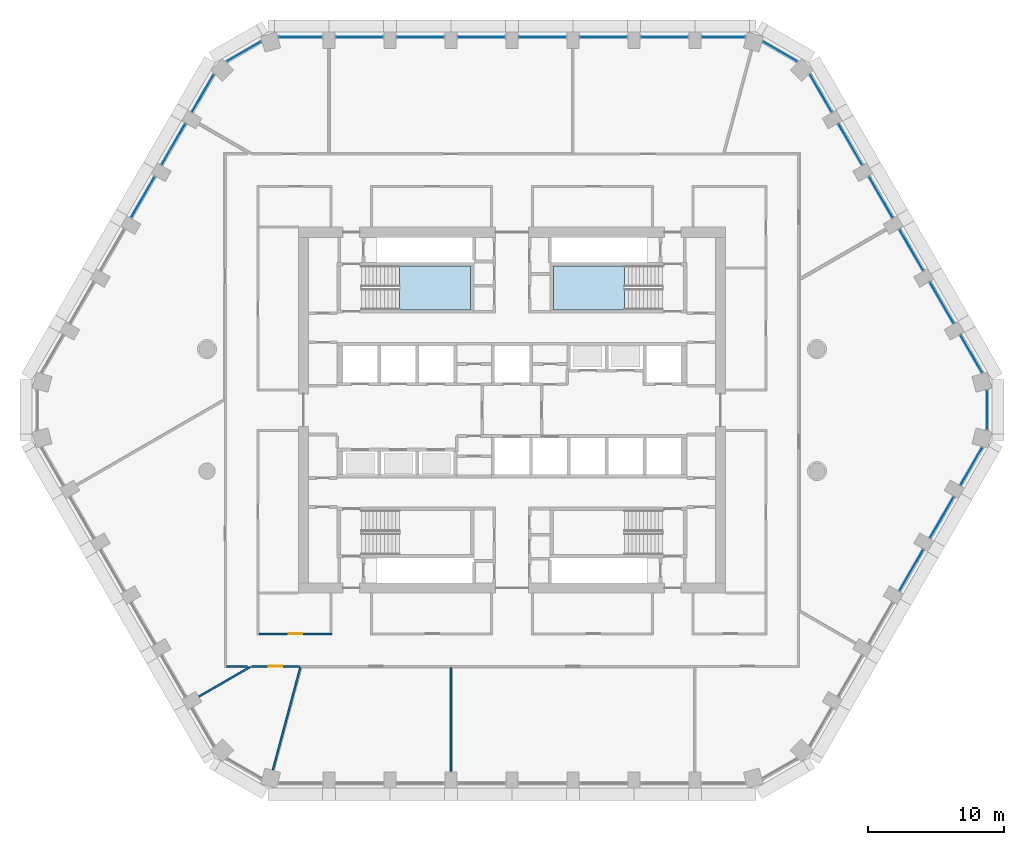
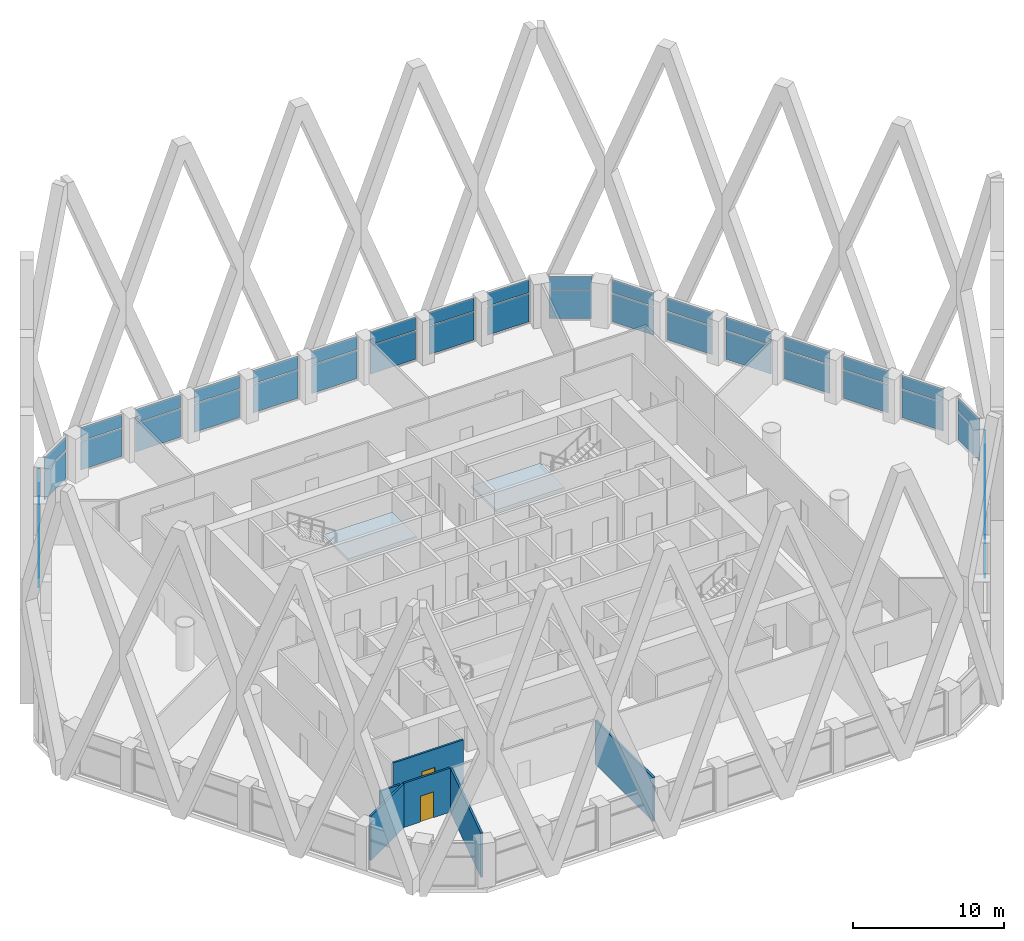
# One storey, part 8 of 24: 45 plates, 6 walls, 2 doors, 2 slabs, 2 openings, 25 elements without a shape of their own.
"""IFC4 building model written with IfcOpenShell, lengths in metres."""

from ifc_helpers import new_model, si_unit, direction, frame, frame_2d, origin, origin_2d, place, context, subcontext, project, spatial, polyline, rectangle, outline, extrude, material, layer, layer_set, type_object, element, fill, aggregate, save


model = new_model("IFC4")

# Units and contexts
model_context = context("Model", 3, precision=1e-05, world=origin(), true_north=direction((0.0, 1.0)))
body_context = subcontext(model_context, "Body", "Model", "MODEL_VIEW")
ifc_project = project(units=[si_unit("LENGTHUNIT", "METRE"), si_unit("AREAUNIT", "SQUARE_METRE"), si_unit("VOLUMEUNIT", "CUBIC_METRE"), si_unit("PLANEANGLEUNIT", "RADIAN"), si_unit("MASSUNIT", "GRAM", prefix="KILO")], contexts=[model_context])

# Site, building, storey
site_placement = place(None, origin())
site = spatial("IfcSite", under=ifc_project, at=site_placement, CompositionType="ELEMENT")
building_placement = place(site_placement, origin())
building = spatial("IfcBuilding", under=site, at=building_placement, Name="Dhurran Vertical Campus", CompositionType="ELEMENT")
storey_placement = place(building_placement, frame((0.0, 0.0, 132.60009765625)))
storey = spatial("IfcBuildingStorey", under=building, at=storey_placement, Name="L32", CompositionType="ELEMENT", Elevation=132.60009765625)

# Curtain wall, plates
ifc_material_1 = material(Name="Aluminium frame with solar-control glass", Category="aluminium")
ifc_layer_1 = layer(ifc_material_1, 0.25)
ifc_layer_set_1 = layer_set([ifc_layer_1], Name="Aluminium frame with solar-control glass")
curtain_wall_type = type_object("IfcCurtainWallType", Name="Sky lobby glazing system", PredefinedType="NOTDEFINED", material=ifc_layer_set_1)
curtain_wall_1_placement = place(storey_placement, origin())
curtain_wall_1 = element("IfcCurtainWall", 1, at=curtain_wall_1_placement, inside=storey, type_object=curtain_wall_type, Name="CW3 L32.12", PredefinedType="NOTDEFINED")
ifc_material_2 = material(Name="Clear solar-control glass", Category="glass")
ifc_layer_2 = layer(ifc_material_2, 0.028076171875)
ifc_layer_set_2 = layer_set([ifc_layer_2], Name="Clear solar-control glass")
plate_type = type_object("IfcPlateType", Name="Sky lobby glazing system panel", PredefinedType="CURTAIN_PANEL", material=ifc_layer_set_2)
plate_1_placement = place(storey_placement, frame((29.468994140625, -11.81787109375, 0.06982421875), z_axis=(0.0, 0.0, 1.0), x_axis=(0.500003059408, 0.866023637427, 0.0)))
plate_1 = element("IfcPlate", 2, at=plate_1_placement, type_object=plate_type, Name="CW3 panel 1.1", PredefinedType="CURTAIN_PANEL", context=body_context, shape_type="SweptSolid", body=[
    extrude(rectangle(XDim=3.458984375, YDim=0.028076171875, at=origin_2d()), origin(), (0.0, 0.0, 1.0), 2.294921875),
])
plate_2_placement = place(storey_placement, frame((29.468994140625, -11.81787109375, 2.43505859375), z_axis=(0.0, 0.0, 1.0), x_axis=(0.500003059408, 0.866023637427, 0.0)))
plate_2 = element("IfcPlate", 3, at=plate_2_placement, type_object=plate_type, Name="CW3 panel 1.2", PredefinedType="CURTAIN_PANEL", context=body_context, shape_type="SweptSolid", body=[
    extrude(rectangle(XDim=3.458984375, YDim=0.028076171875, at=origin_2d()), origin(), (0.0, 0.0, 1.0), 1.070068359375),
])
aggregate(curtain_wall_1, [plate_1, plate_2])

curtain_wall_2_placement = place(storey_placement, origin())
curtain_wall_2 = element("IfcCurtainWall", 4, at=curtain_wall_2_placement, inside=storey, type_object=curtain_wall_type, Name="CW3 L32.13", PredefinedType="NOTDEFINED")
plate_3_placement = place(storey_placement, frame((31.718994140625, -7.920654296875, 0.06982421875), z_axis=(0.0, 0.0, 1.0), x_axis=(0.500003059408, 0.866023637427, 0.0)))
plate_3 = element("IfcPlate", 5, at=plate_3_placement, type_object=plate_type, Name="CW3 panel 1.1", PredefinedType="CURTAIN_PANEL", context=body_context, shape_type="SweptSolid", body=[
    extrude(rectangle(XDim=3.458984375, YDim=0.028076171875, at=origin_2d()), origin(), (0.0, 0.0, 1.0), 2.294921875),
])
plate_4_placement = place(storey_placement, frame((31.718994140625, -7.920654296875, 2.43505859375), z_axis=(0.0, 0.0, 1.0), x_axis=(0.500003059408, 0.866023637427, 0.0)))
plate_4 = element("IfcPlate", 6, at=plate_4_placement, type_object=plate_type, Name="CW3 panel 1.2", PredefinedType="CURTAIN_PANEL", context=body_context, shape_type="SweptSolid", body=[
    extrude(rectangle(XDim=3.458984375, YDim=0.028076171875, at=origin_2d()), origin(), (0.0, 0.0, 1.0), 1.070068359375),
])
aggregate(curtain_wall_2, [plate_3, plate_4])

curtain_wall_3_placement = place(storey_placement, origin())
curtain_wall_3 = element("IfcCurtainWall", 7, at=curtain_wall_3_placement, inside=storey, type_object=curtain_wall_type, Name="CW3 L32.14", PredefinedType="NOTDEFINED")
plate_5_placement = place(storey_placement, frame((33.892822265625, -4.155517578125, 0.06982421875), z_axis=(0.0, 0.0, 1.0), x_axis=(0.499985235344, 0.866033927995, 0.0)))
plate_5 = element("IfcPlate", 8, at=plate_5_placement, type_object=plate_type, Name="CW3 panel 1.1", PredefinedType="CURTAIN_PANEL", context=body_context, shape_type="SweptSolid", body=[
    extrude(rectangle(XDim=3.154052734375, YDim=0.028076171875, at=origin_2d()), origin(), (0.0, 0.0, 1.0), 2.294921875),
])
plate_6_placement = place(storey_placement, frame((33.892822265625, -4.155517578125, 2.43505859375), z_axis=(0.0, 0.0, 1.0), x_axis=(0.499985235344, 0.866033927995, 0.0)))
plate_6 = element("IfcPlate", 9, at=plate_6_placement, type_object=plate_type, Name="CW3 panel 1.2", PredefinedType="CURTAIN_PANEL", context=body_context, shape_type="SweptSolid", body=[
    extrude(rectangle(XDim=3.154052734375, YDim=0.028076171875, at=origin_2d()), origin(), (0.0, 0.0, 1.0), 1.070068359375),
])
aggregate(curtain_wall_3, [plate_5, plate_6])

curtain_wall_4_placement = place(storey_placement, origin())
curtain_wall_4 = element("IfcCurtainWall", 10, at=curtain_wall_4_placement, inside=storey, type_object=curtain_wall_type, Name="CW3 L32.15", PredefinedType="NOTDEFINED")
plate_7_placement = place(storey_placement, frame((35.047119140625, 0.0, 0.06982421875), z_axis=(0.0, 0.0, 1.0), x_axis=(0.0, 1.0, 0.0)))
plate_7 = element("IfcPlate", 11, at=plate_7_placement, type_object=plate_type, Name="CW3 panel 1.1", PredefinedType="CURTAIN_PANEL", context=body_context, shape_type="SweptSolid", body=[
    extrude(rectangle(XDim=2.84912109375, YDim=0.028076171875, at=origin_2d()), origin(), (0.0, 0.0, 1.0), 2.294921875),
])
plate_8_placement = place(storey_placement, frame((35.047119140625, 0.0, 2.43505859375), z_axis=(0.0, 0.0, 1.0), x_axis=(0.0, 1.0, 0.0)))
plate_8 = element("IfcPlate", 12, at=plate_8_placement, type_object=plate_type, Name="CW3 panel 1.2", PredefinedType="CURTAIN_PANEL", context=body_context, shape_type="SweptSolid", body=[
    extrude(rectangle(XDim=2.84912109375, YDim=0.028076171875, at=origin_2d()), origin(), (0.0, 0.0, 1.0), 1.070068359375),
])
aggregate(curtain_wall_4, [plate_7, plate_8])

curtain_wall_5_placement = place(storey_placement, origin())
curtain_wall_5 = element("IfcCurtainWall", 13, at=curtain_wall_5_placement, inside=storey, type_object=curtain_wall_type, Name="CW3 L32.16", PredefinedType="NOTDEFINED")
plate_9_placement = place(storey_placement, frame((33.892822265625, 4.155517578125, 0.06982421875), z_axis=(0.0, 0.0, 1.0), x_axis=(-0.499985235344, 0.866033927995, 0.0)))
plate_9 = element("IfcPlate", 14, at=plate_9_placement, type_object=plate_type, Name="CW3 panel 1.1", PredefinedType="CURTAIN_PANEL", context=body_context, shape_type="SweptSolid", body=[
    extrude(rectangle(XDim=3.154052734375, YDim=0.028076171875, at=origin_2d()), origin(), (0.0, 0.0, 1.0), 2.294921875),
])
plate_10_placement = place(storey_placement, frame((33.892822265625, 4.155517578125, 2.43505859375), z_axis=(0.0, 0.0, 1.0), x_axis=(-0.499985235344, 0.866033927995, 0.0)))
plate_10 = element("IfcPlate", 15, at=plate_10_placement, type_object=plate_type, Name="CW3 panel 1.2", PredefinedType="CURTAIN_PANEL", context=body_context, shape_type="SweptSolid", body=[
    extrude(rectangle(XDim=3.154052734375, YDim=0.028076171875, at=origin_2d()), origin(), (0.0, 0.0, 1.0), 1.070068359375),
])
aggregate(curtain_wall_5, [plate_9, plate_10])

curtain_wall_6_placement = place(storey_placement, origin())
curtain_wall_6 = element("IfcCurtainWall", 16, at=curtain_wall_6_placement, inside=storey, type_object=curtain_wall_type, Name="CW3 L32.17", PredefinedType="NOTDEFINED")
plate_11_placement = place(storey_placement, frame((31.718994140625, 7.920654296875, 0.06982421875), z_axis=(0.0, 0.0, 1.0), x_axis=(-0.500003059408, 0.866023637427, 0.0)))
plate_11 = element("IfcPlate", 17, at=plate_11_placement, type_object=plate_type, Name="CW3 panel 1.1", PredefinedType="CURTAIN_PANEL", context=body_context, shape_type="SweptSolid", body=[
    extrude(rectangle(XDim=3.458984375, YDim=0.028076171875, at=origin_2d()), origin(), (0.0, 0.0, 1.0), 2.294921875),
])
plate_12_placement = place(storey_placement, frame((31.718994140625, 7.920654296875, 2.43505859375), z_axis=(0.0, 0.0, 1.0), x_axis=(-0.500003059408, 0.866023637427, 0.0)))
plate_12 = element("IfcPlate", 18, at=plate_12_placement, type_object=plate_type, Name="CW3 panel 1.2", PredefinedType="CURTAIN_PANEL", context=body_context, shape_type="SweptSolid", body=[
    extrude(rectangle(XDim=3.458984375, YDim=0.028076171875, at=origin_2d()), origin(), (0.0, 0.0, 1.0), 1.070068359375),
])
aggregate(curtain_wall_6, [plate_11, plate_12])

curtain_wall_7_placement = place(storey_placement, origin())
curtain_wall_7 = element("IfcCurtainWall", 19, at=curtain_wall_7_placement, inside=storey, type_object=curtain_wall_type, Name="CW3 L32.18", PredefinedType="NOTDEFINED")
plate_13_placement = place(storey_placement, frame((29.468994140625, 11.81787109375, 0.06982421875), z_axis=(0.0, 0.0, 1.0), x_axis=(-0.500003059408, 0.866023637427, 0.0)))
plate_13 = element("IfcPlate", 20, at=plate_13_placement, type_object=plate_type, Name="CW3 panel 1.1", PredefinedType="CURTAIN_PANEL", context=body_context, shape_type="SweptSolid", body=[
    extrude(rectangle(XDim=3.458984375, YDim=0.028076171875, at=origin_2d()), origin(), (0.0, 0.0, 1.0), 2.294921875),
])
plate_14_placement = place(storey_placement, frame((29.468994140625, 11.81787109375, 2.43505859375), z_axis=(0.0, 0.0, 1.0), x_axis=(-0.500003059408, 0.866023637427, 0.0)))
plate_14 = element("IfcPlate", 21, at=plate_14_placement, type_object=plate_type, Name="CW3 panel 1.2", PredefinedType="CURTAIN_PANEL", context=body_context, shape_type="SweptSolid", body=[
    extrude(rectangle(XDim=3.458984375, YDim=0.028076171875, at=origin_2d()), origin(), (0.0, 0.0, 1.0), 1.070068359375),
])
aggregate(curtain_wall_7, [plate_13, plate_14])

curtain_wall_8_placement = place(storey_placement, origin())
curtain_wall_8 = element("IfcCurtainWall", 22, at=curtain_wall_8_placement, inside=storey, type_object=curtain_wall_type, Name="CW3 L32.19", PredefinedType="NOTDEFINED")
plate_15_placement = place(storey_placement, frame((27.218994140625, 15.71484375, 0.06982421875), z_axis=(0.0, 0.0, 1.0), x_axis=(-0.500003059408, 0.866023637427, 0.0)))
plate_15 = element("IfcPlate", 23, at=plate_15_placement, type_object=plate_type, Name="CW3 panel 1.1", PredefinedType="CURTAIN_PANEL", context=body_context, shape_type="SweptSolid", body=[
    extrude(rectangle(XDim=3.458984375, YDim=0.028076171875, at=origin_2d()), origin(), (0.0, 0.0, 1.0), 2.294921875),
])
plate_16_placement = place(storey_placement, frame((27.218994140625, 15.71484375, 2.43505859375), z_axis=(0.0, 0.0, 1.0), x_axis=(-0.500003059408, 0.866023637427, 0.0)))
plate_16 = element("IfcPlate", 24, at=plate_16_placement, type_object=plate_type, Name="CW3 panel 1.2", PredefinedType="CURTAIN_PANEL", context=body_context, shape_type="SweptSolid", body=[
    extrude(rectangle(XDim=3.458984375, YDim=0.028076171875, at=origin_2d()), origin(), (0.0, 0.0, 1.0), 1.070068359375),
])
aggregate(curtain_wall_8, [plate_15, plate_16])

curtain_wall_9_placement = place(storey_placement, origin())
curtain_wall_9 = element("IfcCurtainWall", 25, at=curtain_wall_9_placement, inside=storey, type_object=curtain_wall_type, Name="CW3 L32.20", PredefinedType="NOTDEFINED")
plate_17_placement = place(storey_placement, frame((24.968994140625, 19.612060546875, 0.06982421875), z_axis=(0.0, 0.0, 1.0), x_axis=(-0.500003059408, 0.866023637427, 0.0)))
plate_17 = element("IfcPlate", 26, at=plate_17_placement, type_object=plate_type, Name="CW3 panel 1.1", PredefinedType="CURTAIN_PANEL", context=body_context, shape_type="SweptSolid", body=[
    extrude(rectangle(XDim=3.458984375, YDim=0.028076171875, at=origin_2d()), origin(), (0.0, 0.0, 1.0), 2.294921875),
])
plate_18_placement = place(storey_placement, frame((24.968994140625, 19.612060546875, 2.43505859375), z_axis=(0.0, 0.0, 1.0), x_axis=(-0.500003059408, 0.866023637427, 0.0)))
plate_18 = element("IfcPlate", 27, at=plate_18_placement, type_object=plate_type, Name="CW3 panel 1.2", PredefinedType="CURTAIN_PANEL", context=body_context, shape_type="SweptSolid", body=[
    extrude(rectangle(XDim=3.458984375, YDim=0.028076171875, at=origin_2d()), origin(), (0.0, 0.0, 1.0), 1.070068359375),
])
aggregate(curtain_wall_9, [plate_17, plate_18])

curtain_wall_10_placement = place(storey_placement, origin())
curtain_wall_10 = element("IfcCurtainWall", 28, at=curtain_wall_10_placement, inside=storey, type_object=curtain_wall_type, Name="CW3 L32.21", PredefinedType="NOTDEFINED")
plate_19_placement = place(storey_placement, frame((22.79541015625, 23.376953125, 0.06982421875), z_axis=(0.0, 0.0, 1.0), x_axis=(-0.499998380488, 0.866026338808, 0.0)))
plate_19 = element("IfcPlate", 29, at=plate_19_placement, type_object=plate_type, Name="CW3 panel 1.1", PredefinedType="CURTAIN_PANEL", context=body_context, shape_type="SweptSolid", body=[
    extrude(rectangle(XDim=3.154052734375, YDim=0.028076171875, at=origin_2d()), origin(), (0.0, 0.0, 1.0), 2.294921875),
])
plate_20_placement = place(storey_placement, frame((22.79541015625, 23.376953125, 2.43505859375), z_axis=(0.0, 0.0, 1.0), x_axis=(-0.499998380488, 0.866026338808, 0.0)))
plate_20 = element("IfcPlate", 30, at=plate_20_placement, type_object=plate_type, Name="CW3 panel 1.2", PredefinedType="CURTAIN_PANEL", context=body_context, shape_type="SweptSolid", body=[
    extrude(rectangle(XDim=3.154052734375, YDim=0.028076171875, at=origin_2d()), origin(), (0.0, 0.0, 1.0), 1.070068359375),
])
aggregate(curtain_wall_10, [plate_19, plate_20])

curtain_wall_11_placement = place(storey_placement, origin())
curtain_wall_11 = element("IfcCurtainWall", 31, at=curtain_wall_11_placement, inside=storey, type_object=curtain_wall_type, Name="CW3 L32.22", PredefinedType="NOTDEFINED")
plate_21_placement = place(storey_placement, frame((19.7734375, 26.45458984375, 0.06982421875), z_axis=(0.0, 0.0, 1.0), x_axis=(-0.866023468714, 0.500003351625, 0.0)))
plate_21 = element("IfcPlate", 32, at=plate_21_placement, type_object=plate_type, Name="CW3 panel 1.1", PredefinedType="CURTAIN_PANEL", context=body_context, shape_type="SweptSolid", body=[
    extrude(rectangle(XDim=2.84912109375, YDim=0.028076171875, at=origin_2d()), origin(), (0.0, 0.0, 1.0), 2.294921875),
])
plate_22_placement = place(storey_placement, frame((19.7734375, 26.45458984375, 2.43505859375), z_axis=(0.0, 0.0, 1.0), x_axis=(-0.866023468714, 0.500003351625, 0.0)))
plate_22 = element("IfcPlate", 33, at=plate_22_placement, type_object=plate_type, Name="CW3 panel 1.2", PredefinedType="CURTAIN_PANEL", context=body_context, shape_type="SweptSolid", body=[
    extrude(rectangle(XDim=2.84912109375, YDim=0.028076171875, at=origin_2d()), origin(), (0.0, 0.0, 1.0), 1.070068359375),
])
aggregate(curtain_wall_11, [plate_21, plate_22])

curtain_wall_12_placement = place(storey_placement, origin())
curtain_wall_12 = element("IfcCurtainWall", 34, at=curtain_wall_12_placement, inside=storey, type_object=curtain_wall_type, Name="CW3 L32.23", PredefinedType="NOTDEFINED")
plate_23_placement = place(storey_placement, frame((15.59765625, 27.53271484375, 0.06982421875), z_axis=(0.0, 0.0, 1.0), x_axis=(-1.0, 0.0, 0.0)))
plate_23 = element("IfcPlate", 35, at=plate_23_placement, type_object=plate_type, Name="CW3 panel 1.1", PredefinedType="CURTAIN_PANEL", context=body_context, shape_type="SweptSolid", body=[
    extrude(rectangle(XDim=3.154052734375, YDim=0.028076171875, at=origin_2d()), origin(), (0.0, 0.0, 1.0), 2.294921875),
])
plate_24_placement = place(storey_placement, frame((15.59765625, 27.53271484375, 2.43505859375), z_axis=(0.0, 0.0, 1.0), x_axis=(-1.0, 0.0, 0.0)))
plate_24 = element("IfcPlate", 36, at=plate_24_placement, type_object=plate_type, Name="CW3 panel 1.2", PredefinedType="CURTAIN_PANEL", context=body_context, shape_type="SweptSolid", body=[
    extrude(rectangle(XDim=3.154052734375, YDim=0.028076171875, at=origin_2d()), origin(), (0.0, 0.0, 1.0), 1.070068359375),
])
aggregate(curtain_wall_12, [plate_23, plate_24])

curtain_wall_13_placement = place(storey_placement, origin())
curtain_wall_13 = element("IfcCurtainWall", 37, at=curtain_wall_13_placement, inside=storey, type_object=curtain_wall_type, Name="CW3 L32.24", PredefinedType="NOTDEFINED")
plate_25_placement = place(storey_placement, frame((11.25, 27.53271484375, 0.06982421875), z_axis=(0.0, 0.0, 1.0), x_axis=(-1.0, 0.0, 0.0)))
plate_25 = element("IfcPlate", 38, at=plate_25_placement, type_object=plate_type, Name="CW3 panel 1.1", PredefinedType="CURTAIN_PANEL", context=body_context, shape_type="SweptSolid", body=[
    extrude(rectangle(XDim=3.458984375, YDim=0.028076171875, at=origin_2d()), origin(), (0.0, 0.0, 1.0), 2.294921875),
])
plate_26_placement = place(storey_placement, frame((11.25, 27.53271484375, 2.43505859375), z_axis=(0.0, 0.0, 1.0), x_axis=(-1.0, 0.0, 0.0)))
plate_26 = element("IfcPlate", 39, at=plate_26_placement, type_object=plate_type, Name="CW3 panel 1.2", PredefinedType="CURTAIN_PANEL", context=body_context, shape_type="SweptSolid", body=[
    extrude(rectangle(XDim=3.458984375, YDim=0.028076171875, at=origin_2d()), origin(), (0.0, 0.0, 1.0), 1.070068359375),
])
aggregate(curtain_wall_13, [plate_25, plate_26])

curtain_wall_14_placement = place(storey_placement, origin())
curtain_wall_14 = element("IfcCurtainWall", 40, at=curtain_wall_14_placement, inside=storey, type_object=curtain_wall_type, Name="CW3 L32.25", PredefinedType="NOTDEFINED")
plate_27_placement = place(storey_placement, frame((6.75, 27.53271484375, 0.06982421875), z_axis=(0.0, 0.0, 1.0), x_axis=(-1.0, 0.0, 0.0)))
plate_27 = element("IfcPlate", 41, at=plate_27_placement, type_object=plate_type, Name="CW3 panel 1.1", PredefinedType="CURTAIN_PANEL", context=body_context, shape_type="SweptSolid", body=[
    extrude(rectangle(XDim=3.458984375, YDim=0.028076171875, at=origin_2d()), origin(), (0.0, 0.0, 1.0), 2.294921875),
])
plate_28_placement = place(storey_placement, frame((6.75, 27.53271484375, 2.43505859375), z_axis=(0.0, 0.0, 1.0), x_axis=(-1.0, 0.0, 0.0)))
plate_28 = element("IfcPlate", 42, at=plate_28_placement, type_object=plate_type, Name="CW3 panel 1.2", PredefinedType="CURTAIN_PANEL", context=body_context, shape_type="SweptSolid", body=[
    extrude(rectangle(XDim=3.458984375, YDim=0.028076171875, at=origin_2d()), origin(), (0.0, 0.0, 1.0), 1.070068359375),
])
aggregate(curtain_wall_14, [plate_27, plate_28])

curtain_wall_15_placement = place(storey_placement, origin())
curtain_wall_15 = element("IfcCurtainWall", 43, at=curtain_wall_15_placement, inside=storey, type_object=curtain_wall_type, Name="CW3 L32.26", PredefinedType="NOTDEFINED")
plate_29_placement = place(storey_placement, frame((2.25, 27.53271484375, 0.06982421875), z_axis=(0.0, 0.0, 1.0), x_axis=(-1.0, 0.0, 0.0)))
plate_29 = element("IfcPlate", 44, at=plate_29_placement, type_object=plate_type, Name="CW3 panel 1.1", PredefinedType="CURTAIN_PANEL", context=body_context, shape_type="SweptSolid", body=[
    extrude(rectangle(XDim=3.458984375, YDim=0.028076171875, at=origin_2d()), origin(), (0.0, 0.0, 1.0), 2.294921875),
])
plate_30_placement = place(storey_placement, frame((2.25, 27.53271484375, 2.43505859375), z_axis=(0.0, 0.0, 1.0), x_axis=(-1.0, 0.0, 0.0)))
plate_30 = element("IfcPlate", 45, at=plate_30_placement, type_object=plate_type, Name="CW3 panel 1.2", PredefinedType="CURTAIN_PANEL", context=body_context, shape_type="SweptSolid", body=[
    extrude(rectangle(XDim=3.458984375, YDim=0.028076171875, at=origin_2d()), origin(), (0.0, 0.0, 1.0), 1.070068359375),
])
aggregate(curtain_wall_15, [plate_29, plate_30])

curtain_wall_16_placement = place(storey_placement, origin())
curtain_wall_16 = element("IfcCurtainWall", 46, at=curtain_wall_16_placement, inside=storey, type_object=curtain_wall_type, Name="CW3 L32.27", PredefinedType="NOTDEFINED")
plate_31_placement = place(storey_placement, frame((-2.25, 27.53271484375, 0.06982421875), z_axis=(0.0, 0.0, 1.0), x_axis=(-1.0, 0.0, 0.0)))
plate_31 = element("IfcPlate", 47, at=plate_31_placement, type_object=plate_type, Name="CW3 panel 1.1", PredefinedType="CURTAIN_PANEL", context=body_context, shape_type="SweptSolid", body=[
    extrude(rectangle(XDim=3.458984375, YDim=0.028076171875, at=origin_2d()), origin(), (0.0, 0.0, 1.0), 2.294921875),
])
plate_32_placement = place(storey_placement, frame((-2.25, 27.53271484375, 2.43505859375), z_axis=(0.0, 0.0, 1.0), x_axis=(-1.0, 0.0, 0.0)))
plate_32 = element("IfcPlate", 48, at=plate_32_placement, type_object=plate_type, Name="CW3 panel 1.2", PredefinedType="CURTAIN_PANEL", context=body_context, shape_type="SweptSolid", body=[
    extrude(rectangle(XDim=3.458984375, YDim=0.028076171875, at=origin_2d()), origin(), (0.0, 0.0, 1.0), 1.070068359375),
])
aggregate(curtain_wall_16, [plate_31, plate_32])

curtain_wall_17_placement = place(storey_placement, origin())
curtain_wall_17 = element("IfcCurtainWall", 49, at=curtain_wall_17_placement, inside=storey, type_object=curtain_wall_type, Name="CW3 L32.28", PredefinedType="NOTDEFINED")
plate_33_placement = place(storey_placement, frame((-6.75, 27.53271484375, 0.06982421875), z_axis=(0.0, 0.0, 1.0), x_axis=(-1.0, 0.0, 0.0)))
plate_33 = element("IfcPlate", 50, at=plate_33_placement, type_object=plate_type, Name="CW3 panel 1.1", PredefinedType="CURTAIN_PANEL", context=body_context, shape_type="SweptSolid", body=[
    extrude(rectangle(XDim=3.458984375, YDim=0.028076171875, at=origin_2d()), origin(), (0.0, 0.0, 1.0), 2.294921875),
])
plate_34_placement = place(storey_placement, frame((-6.75, 27.53271484375, 2.43505859375), z_axis=(0.0, 0.0, 1.0), x_axis=(-1.0, 0.0, 0.0)))
plate_34 = element("IfcPlate", 51, at=plate_34_placement, type_object=plate_type, Name="CW3 panel 1.2", PredefinedType="CURTAIN_PANEL", context=body_context, shape_type="SweptSolid", body=[
    extrude(rectangle(XDim=3.458984375, YDim=0.028076171875, at=origin_2d()), origin(), (0.0, 0.0, 1.0), 1.070068359375),
])
aggregate(curtain_wall_17, [plate_33, plate_34])

curtain_wall_18_placement = place(storey_placement, origin())
curtain_wall_18 = element("IfcCurtainWall", 52, at=curtain_wall_18_placement, inside=storey, type_object=curtain_wall_type, Name="CW3 L32.29", PredefinedType="NOTDEFINED")
plate_35_placement = place(storey_placement, frame((-11.25, 27.53271484375, 0.06982421875), z_axis=(0.0, 0.0, 1.0), x_axis=(-1.0, 0.0, 0.0)))
plate_35 = element("IfcPlate", 53, at=plate_35_placement, type_object=plate_type, Name="CW3 panel 1.1", PredefinedType="CURTAIN_PANEL", context=body_context, shape_type="SweptSolid", body=[
    extrude(rectangle(XDim=3.458984375, YDim=0.028076171875, at=origin_2d()), origin(), (0.0, 0.0, 1.0), 2.294921875),
])
plate_36_placement = place(storey_placement, frame((-11.25, 27.53271484375, 2.43505859375), z_axis=(0.0, 0.0, 1.0), x_axis=(-1.0, 0.0, 0.0)))
plate_36 = element("IfcPlate", 54, at=plate_36_placement, type_object=plate_type, Name="CW3 panel 1.2", PredefinedType="CURTAIN_PANEL", context=body_context, shape_type="SweptSolid", body=[
    extrude(rectangle(XDim=3.458984375, YDim=0.028076171875, at=origin_2d()), origin(), (0.0, 0.0, 1.0), 1.070068359375),
])
aggregate(curtain_wall_18, [plate_35, plate_36])

curtain_wall_19_placement = place(storey_placement, origin())
curtain_wall_19 = element("IfcCurtainWall", 55, at=curtain_wall_19_placement, inside=storey, type_object=curtain_wall_type, Name="CW3 L32.30", PredefinedType="NOTDEFINED")
plate_37_placement = place(storey_placement, frame((-15.59765625, 27.53271484375, 0.06982421875), z_axis=(0.0, 0.0, 1.0), x_axis=(-1.0, 0.0, 0.0)))
plate_37 = element("IfcPlate", 56, at=plate_37_placement, type_object=plate_type, Name="CW3 panel 1.1", PredefinedType="CURTAIN_PANEL", context=body_context, shape_type="SweptSolid", body=[
    extrude(rectangle(XDim=3.154052734375, YDim=0.028076171875, at=origin_2d()), origin(), (0.0, 0.0, 1.0), 2.294921875),
])
plate_38_placement = place(storey_placement, frame((-15.59765625, 27.53271484375, 2.43505859375), z_axis=(0.0, 0.0, 1.0), x_axis=(-1.0, 0.0, 0.0)))
plate_38 = element("IfcPlate", 57, at=plate_38_placement, type_object=plate_type, Name="CW3 panel 1.2", PredefinedType="CURTAIN_PANEL", context=body_context, shape_type="SweptSolid", body=[
    extrude(rectangle(XDim=3.154052734375, YDim=0.028076171875, at=origin_2d()), origin(), (0.0, 0.0, 1.0), 1.070068359375),
])
aggregate(curtain_wall_19, [plate_37, plate_38])

curtain_wall_20_placement = place(storey_placement, origin())
curtain_wall_20 = element("IfcCurtainWall", 58, at=curtain_wall_20_placement, inside=storey, type_object=curtain_wall_type, Name="CW3 L32.31", PredefinedType="NOTDEFINED")
plate_39_placement = place(storey_placement, frame((-19.7734375, 26.45458984375, 0.06982421875), z_axis=(0.0, 0.0, 1.0), x_axis=(-0.866023468714, -0.500003351625, 0.0)))
plate_39 = element("IfcPlate", 59, at=plate_39_placement, type_object=plate_type, Name="CW3 panel 1.1", PredefinedType="CURTAIN_PANEL", context=body_context, shape_type="SweptSolid", body=[
    extrude(rectangle(XDim=2.84912109375, YDim=0.028076171875, at=origin_2d()), origin(), (0.0, 0.0, 1.0), 2.294921875),
])
plate_40_placement = place(storey_placement, frame((-19.7734375, 26.45458984375, 2.43505859375), z_axis=(0.0, 0.0, 1.0), x_axis=(-0.866023468714, -0.500003351625, 0.0)))
plate_40 = element("IfcPlate", 60, at=plate_40_placement, type_object=plate_type, Name="CW3 panel 1.2", PredefinedType="CURTAIN_PANEL", context=body_context, shape_type="SweptSolid", body=[
    extrude(rectangle(XDim=2.84912109375, YDim=0.028076171875, at=origin_2d()), origin(), (0.0, 0.0, 1.0), 1.070068359375),
])
aggregate(curtain_wall_20, [plate_39, plate_40])

curtain_wall_21_placement = place(storey_placement, origin())
curtain_wall_21 = element("IfcCurtainWall", 61, at=curtain_wall_21_placement, inside=storey, type_object=curtain_wall_type, Name="CW3 L32.32", PredefinedType="NOTDEFINED")
plate_41_placement = place(storey_placement, frame((-22.79541015625, 23.376953125, 0.06982421875), z_axis=(0.0, 0.0, 1.0), x_axis=(-0.499998380488, -0.866026338808, 0.0)))
plate_41 = element("IfcPlate", 62, at=plate_41_placement, type_object=plate_type, Name="CW3 panel 1.1", PredefinedType="CURTAIN_PANEL", context=body_context, shape_type="SweptSolid", body=[
    extrude(rectangle(XDim=3.154052734375, YDim=0.028076171875, at=origin_2d()), origin(), (0.0, 0.0, 1.0), 2.294921875),
])
plate_42_placement = place(storey_placement, frame((-22.79541015625, 23.376953125, 2.43505859375), z_axis=(0.0, 0.0, 1.0), x_axis=(-0.499998380488, -0.866026338808, 0.0)))
plate_42 = element("IfcPlate", 63, at=plate_42_placement, type_object=plate_type, Name="CW3 panel 1.2", PredefinedType="CURTAIN_PANEL", context=body_context, shape_type="SweptSolid", body=[
    extrude(rectangle(XDim=3.154052734375, YDim=0.028076171875, at=origin_2d()), origin(), (0.0, 0.0, 1.0), 1.070068359375),
])
aggregate(curtain_wall_21, [plate_41, plate_42])

curtain_wall_22_placement = place(storey_placement, origin())
curtain_wall_22 = element("IfcCurtainWall", 64, at=curtain_wall_22_placement, inside=storey, type_object=curtain_wall_type, Name="CW3 L32.33", PredefinedType="NOTDEFINED")
plate_43_placement = place(storey_placement, frame((-24.968994140625, 19.612060546875, 0.06982421875), z_axis=(0.0, 0.0, 1.0), x_axis=(-0.500003059408, -0.866023637427, 0.0)))
plate_43 = element("IfcPlate", 65, at=plate_43_placement, type_object=plate_type, Name="CW3 panel 1.1", PredefinedType="CURTAIN_PANEL", context=body_context, shape_type="SweptSolid", body=[
    extrude(rectangle(XDim=3.458984375, YDim=0.028076171875, at=origin_2d()), origin(), (0.0, 0.0, 1.0), 2.294921875),
])
plate_44_placement = place(storey_placement, frame((-24.968994140625, 19.612060546875, 2.43505859375), z_axis=(0.0, 0.0, 1.0), x_axis=(-0.500003059408, -0.866023637427, 0.0)))
plate_44 = element("IfcPlate", 66, at=plate_44_placement, type_object=plate_type, Name="CW3 panel 1.2", PredefinedType="CURTAIN_PANEL", context=body_context, shape_type="SweptSolid", body=[
    extrude(rectangle(XDim=3.458984375, YDim=0.028076171875, at=origin_2d()), origin(), (0.0, 0.0, 1.0), 1.070068359375),
])
aggregate(curtain_wall_22, [plate_43, plate_44])

# Curtain wall, plate
curtain_wall_23_placement = place(storey_placement, origin())
curtain_wall_23 = element("IfcCurtainWall", 67, at=curtain_wall_23_placement, inside=storey, type_object=curtain_wall_type, Name="CW3 L32.34", PredefinedType="NOTDEFINED")
plate_45_placement = place(storey_placement, frame((-27.218994140625, 15.71484375, 2.43505859375), z_axis=(0.0, 0.0, 1.0), x_axis=(-0.500003059408, -0.866023637427, 0.0)))
plate_45 = element("IfcPlate", 68, at=plate_45_placement, type_object=plate_type, Name="CW3 panel 1.2", PredefinedType="CURTAIN_PANEL", context=body_context, shape_type="SweptSolid", body=[
    extrude(rectangle(XDim=3.458984375, YDim=0.028076171875, at=origin_2d()), origin(), (0.0, 0.0, 1.0), 1.070068359375),
])
aggregate(curtain_wall_23, [plate_45])

# Stair, slab
ifc_material_3 = material(Name="Concrete C40/50", Category="concrete")
stair_type = type_object("IfcStairType", Name="co-ST-CORE", PredefinedType="HALF_TURN_STAIR", material=ifc_material_3)
stair_1_placement = place(storey_placement, origin())
stair_1 = element("IfcStair", 69, at=stair_1_placement, inside=storey, type_object=stair_type, Name="L32 Protected exit stair ST1", PredefinedType="HALF_TURN_STAIR")
ifc_material_4 = material(Name="Concrete C40/50", Category="concrete")
ifc_layer_3 = layer(ifc_material_4, 0.199951171875)
ifc_layer_set_3 = layer_set([ifc_layer_3], Name="Concrete C40/50")
slab_type = type_object("IfcSlabType", Name="co-SL-LANDING", PredefinedType="LANDING", material=ifc_layer_set_3)
slab_1_placement = place(storey_placement, frame((0.0, 0.0, 1.75)))
slab_1 = element("IfcSlab", 70, at=slab_1_placement, type_object=slab_type, Name="ST1 landing 1", PredefinedType="LANDING", context=body_context, shape_type="SweptSolid", body=[
    extrude(outline(polyline([(-8.300048828125, 7.39990234375), (-3.050048828125, 7.39990234375), (-3.050048828125, 10.64990234375), (-8.300048828125, 10.64990234375), (-8.300048828125, 7.39990234375)])), origin(), (0.0, 0.0, 1.0), 0.199951171875),
])
aggregate(stair_1, [slab_1])

stair_2_placement = place(storey_placement, origin())
stair_2 = element("IfcStair", 71, at=stair_2_placement, inside=storey, type_object=stair_type, Name="L32 Protected exit stair ST2", PredefinedType="HALF_TURN_STAIR")
slab_2_placement = place(storey_placement, frame((0.0, 0.0, 1.75)))
slab_2 = element("IfcSlab", 72, at=slab_2_placement, type_object=slab_type, Name="ST2 landing 1", PredefinedType="LANDING", context=body_context, shape_type="SweptSolid", body=[
    extrude(outline(polyline([(8.300048828125, 10.64990234375), (3.050048828125, 10.64990234375), (3.050048828125, 7.39990234375), (8.300048828125, 7.39990234375), (8.300048828125, 10.64990234375)])), origin(), (0.0, 0.0, 1.0), 0.199951171875),
])
aggregate(stair_2, [slab_2])

# Wall
ifc_material_5 = material(Name="Gypsum board corridor wall on steel studs", Category="steel")
ifc_layer_4 = layer(ifc_material_5, 0.14990234375)
ifc_layer_set_4 = layer_set([ifc_layer_4], Name="Gypsum board corridor wall on steel studs")
wall_type_1 = type_object("IfcWallType", Name="fl-CW-150 corridor wall", PredefinedType="PARTITIONING", material=ifc_layer_set_4)
wall_1_placement = place(storey_placement, frame((-21.074951171875, -18.89990234375, 0.0), z_axis=(0.0, 0.0, 1.0), x_axis=(1.0, 0.0, 0.0)))
element("IfcWall", 73, at=wall_1_placement, inside=storey, type_object=wall_type_1, Name="Partition 32-05", PredefinedType="PARTITIONING", context=body_context, shape_type="SweptSolid", body=[
    extrude(rectangle(XDim=1.56396484375, YDim=0.14990234375, at=frame_2d((0.781982421875, 0.0))), origin(), (0.0, 0.0, 1.0), 3.574951171875),
])

# Wall, opening, door
wall_2_placement = place(storey_placement, frame((-19.236083984375, -18.89990234375, 0.0), z_axis=(0.0, 0.0, 1.0), x_axis=(1.0, 0.0, 0.0)))
wall_2 = element("IfcWall", 74, at=wall_2_placement, inside=storey, type_object=wall_type_1, Name="Partition 32-08", PredefinedType="PARTITIONING", context=body_context, shape_type="SweptSolid", body=[
    extrude(rectangle(XDim=3.548095703125, YDim=0.14990234375, at=frame_2d((1.77392578125, 0.0))), origin(), (0.0, 0.0, 1.0), 3.574951171875),
])
opening_1_placement = place(wall_2_placement, frame((1.27392578125, 0.0, 0.0)))
opening_1 = element("IfcOpeningElement", 75, at=opening_1_placement, cuts=wall_2, Name="Opening T09.03", PredefinedType="OPENING", context=body_context, shape_type="SweptSolid", body=[
    extrude(rectangle(XDim=1.0, YDim=2.10009765625, at=frame_2d((0.5, 1.050048828125))), frame((0.0, 0.0849609375, 0.0), z_axis=(0.0, -1.0, 0.0), x_axis=(1.0, 0.0, 0.0)), (0.0, 0.0, 1.0), 0.169921875),
])
ifc_material_6 = material(Name="Solid-core timber door set, fire-rated", Category="wood")
door_type = type_object("IfcDoorType", Name="fl-D-1000x2100", OperationType="SINGLE_SWING_LEFT", PredefinedType="DOOR", material=ifc_material_6)
door_1_placement = place(opening_1_placement, origin())
door_1 = element("IfcDoor", 76, at=door_1_placement, inside=storey, type_object=door_type, Name="Door 32.03", OperationType="SINGLE_SWING_LEFT", OverallHeight=2.10009765625, OverallWidth=1.0, PredefinedType="DOOR", context=body_context, shape_type="SweptSolid", body=[
    extrude(rectangle(XDim=1.0, YDim=2.10009765625, at=frame_2d((0.5, 1.050048828125))), frame((0.0, 0.02490234375, 0.0), z_axis=(0.0, -1.0, 0.0), x_axis=(1.0, 0.0, 0.0)), (0.0, 0.0, 1.0), 0.050048828125),
])
fill(opening_1, door_1)

wall_3_placement = place(storey_placement, frame((-13.27490234375, -16.5, 0.0), z_axis=(0.0, 0.0, 1.0), x_axis=(-1.0, 0.0, 0.0)))
wall_3 = element("IfcWall", 77, at=wall_3_placement, inside=storey, type_object=wall_type_1, Name="Partition 32-11", PredefinedType="PARTITIONING", context=body_context, shape_type="SweptSolid", body=[
    extrude(rectangle(XDim=5.400146484375, YDim=0.14990234375, at=frame_2d((2.7001953125, 0.0))), origin(), (0.0, 0.0, 1.0), 3.574951171875),
])
opening_2_placement = place(wall_3_placement, frame((2.199951171875, 0.0, 0.0)))
opening_2 = element("IfcOpeningElement", 78, at=opening_2_placement, cuts=wall_3, Name="Opening T09.07", PredefinedType="OPENING", context=body_context, shape_type="SweptSolid", body=[
    extrude(rectangle(XDim=1.0, YDim=2.10009765625, at=frame_2d((0.5, 1.050048828125))), frame((0.0, 0.0849609375, 0.0), z_axis=(0.0, -1.0, 0.0), x_axis=(1.0, 0.0, 0.0)), (0.0, 0.0, 1.0), 0.169921875),
])
door_2_placement = place(opening_2_placement, origin())
door_2 = element("IfcDoor", 79, at=door_2_placement, inside=storey, type_object=door_type, Name="Door 32.07", OperationType="SINGLE_SWING_RIGHT", OverallHeight=2.10009765625, OverallWidth=1.0, PredefinedType="DOOR", context=body_context, shape_type="SweptSolid", body=[
    extrude(rectangle(XDim=1.0, YDim=2.10009765625, at=frame_2d((0.5, 1.050048828125))), frame((0.0, 0.02490234375, 0.0), z_axis=(0.0, -1.0, 0.0), x_axis=(1.0, 0.0, 0.0)), (0.0, 0.0, 1.0), 0.050048828125),
])
fill(opening_2, door_2)

# Walls
ifc_material_7 = material(Name="Gypsum board partition on steel studs", Category="steel")
ifc_layer_5 = layer(ifc_material_7, 0.14990234375)
ifc_layer_set_5 = layer_set([ifc_layer_5], Name="Gypsum board partition on steel studs")
wall_type_2 = type_object("IfcWallType", Name="fl-PW-150 fixed partition", PredefinedType="PARTITIONING", material=ifc_layer_set_5)
wall_4_placement = place(storey_placement, frame((-19.30078125, -18.9375, 0.0), z_axis=(0.0, 0.0, 1.0), x_axis=(-0.865968165673, -0.500099126214, 0.0)))
element("IfcWall", 80, at=wall_4_placement, inside=storey, type_object=wall_type_2, Name="Partition 32-02", PredefinedType="PARTITIONING", context=body_context, shape_type="SweptSolid", body=[
    extrude(rectangle(XDim=4.3759765625, YDim=0.14990234375, at=frame_2d((2.18798828125, 0.0))), origin(), (0.0, 0.0, 1.0), 3.574951171875),
])
wall_5_placement = place(storey_placement, frame((-15.6123046875, -18.972412109375, 0.0), z_axis=(0.0, 0.0, 1.0), x_axis=(-0.258869363255, -0.965912342176, 0.0)))
element("IfcWall", 81, at=wall_5_placement, inside=storey, type_object=wall_type_2, Name="Partition 32-20", PredefinedType="PARTITIONING", context=body_context, shape_type="SweptSolid", body=[
    extrude(rectangle(XDim=7.84375, YDim=0.14990234375, at=frame_2d((3.921875, 0.0))), origin(), (0.0, 0.0, 1.0), 3.574951171875),
])
wall_6_placement = place(storey_placement, frame((-4.5, -18.97509765625, 0.0), z_axis=(0.0, 0.0, 1.0), x_axis=(0.0, -1.0, 0.0)))
element("IfcWall", 82, at=wall_6_placement, inside=storey, type_object=wall_type_2, Name="Partition 32-30", PredefinedType="PARTITIONING", context=body_context, shape_type="SweptSolid", body=[
    extrude(rectangle(XDim=7.6875, YDim=0.14990234375, at=frame_2d((3.84375, 0.0))), origin(), (0.0, 0.0, 1.0), 3.574951171875),
])

save(model, "model.ifc")
